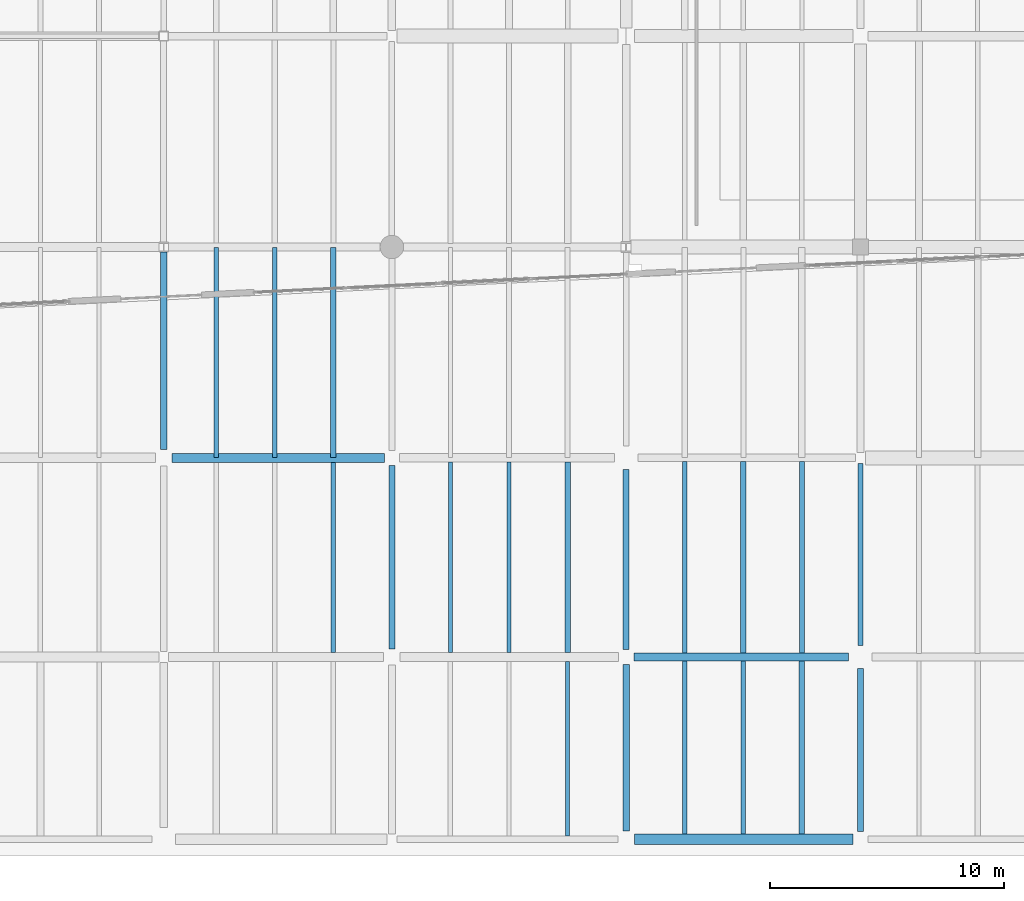
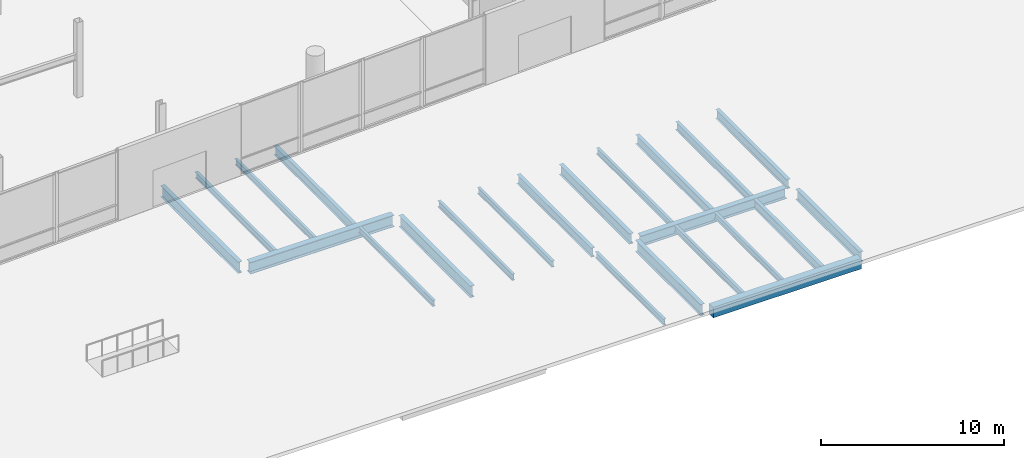
# One storey, part 26 of 88: 23 beams.
"""IFC4 building model written with IfcOpenShell, lengths in metres."""

import ifcopenshell
import ifcopenshell.guid

model = None  # the IFC model being written
_history = None  # IfcOwnerHistory: only IFC2X3 demands one
_inside = {}  # id of a spatial element -> (the spatial element, [elements in it])
_under = {}  # id of a project, library or spatial element -> (it, [spatial elements below it])
_declared = {}  # id of a project -> (the project, [libraries it declares])
_typed = {}  # id of a type object -> (the type object, [elements of that type])
_made_of = {}  # id of a material, layer set ... -> (it, [elements and type objects made of it])


def new_model(schema):
    """Start an empty IFC model of exactly this schema.

    Asked for "IFC4X3", IfcOpenShell would pick the latest addendum, in which some entities
    have other attributes; the version numbers below select the first issue.
    IFC2X3 requires an IfcOwnerHistory on every rooted entity: one is made here for all.
    """
    global model, _history
    if schema == "IFC4X3":
        model = ifcopenshell.file(schema_version=(4, 3, 0, 0))
    else:
        model = ifcopenshell.file(schema=schema)
    _inside.clear()
    _under.clear()
    _declared.clear()
    _typed.clear()
    _made_of.clear()
    _history = None
    if model.schema == "IFC2X3":
        org = make("IfcOrganization", Name="unknown")
        user = make(
            "IfcPersonAndOrganization",
            ThePerson=make("IfcPerson", FamilyName="unknown"),
            TheOrganization=org,
        )
        app = make(
            "IfcApplication",
            ApplicationDeveloper=org,
            Version="unknown",
            ApplicationFullName="unknown",
            ApplicationIdentifier="unknown",
        )
        _history = make(
            "IfcOwnerHistory",
            OwningUser=user,
            OwningApplication=app,
            ChangeAction="ADDED",
            CreationDate=0,
        )
    return model


def make(cls, **values):
    """One entity of the class cls with the attributes given. An attribute that is None is left unset."""
    return model.create_entity(
        cls, **{name: value for name, value in values.items() if value is not None}
    )


def rooted(cls, **values):
    """An entity with a GlobalId (a new one), such as an element, a storey or a relation."""
    return make(cls, GlobalId=ifcopenshell.guid.new(), OwnerHistory=_history, **values)


def si_unit(unit_type, name, prefix=None):
    """IfcSIUnit, for example si_unit("LENGTHUNIT", "METRE", prefix="MILLI")."""
    return make("IfcSIUnit", UnitType=unit_type, Prefix=prefix, Name=name)


def assignment(units):
    """IfcUnitAssignment: the units of a project."""
    return None if units is None else make("IfcUnitAssignment", Units=units)


def point(xyz):
    """IfcCartesianPoint."""
    return None if xyz is None else make("IfcCartesianPoint", Coordinates=xyz)


def direction(xyz):
    """IfcDirection."""
    return None if xyz is None else make("IfcDirection", DirectionRatios=xyz)


def frame(location, z_axis=None, x_axis=None):
    """IfcAxis2Placement3D, a coordinate frame: its origin and axes. An axis left out is left unset."""
    return make(
        "IfcAxis2Placement3D",
        Location=point(location),
        Axis=direction(z_axis),
        RefDirection=direction(x_axis),
    )


def frame_2d(location, x_axis=None):
    """IfcAxis2Placement2D, a coordinate frame in the plane: its origin and x axis."""
    return make(
        "IfcAxis2Placement2D", Location=point(location), RefDirection=direction(x_axis)
    )


def origin():
    """The frame at (0, 0, 0) with its axes left unset."""
    return frame((0.0, 0.0, 0.0))


def origin_2d():
    """The frame at (0, 0) in the plane with its x axis left unset."""
    return frame_2d((0.0, 0.0))


def place(relative_to, where):
    """IfcLocalPlacement: puts the frame where relative to a parent placement (None: the world)."""
    return make(
        "IfcLocalPlacement", PlacementRelTo=relative_to, RelativePlacement=where
    )


def context(
    kind, dimensions, precision=None, world=None, true_north=None, identifier=None
):
    """IfcGeometricRepresentationContext, for example the 3D "Model" context."""
    return make(
        "IfcGeometricRepresentationContext",
        ContextIdentifier=identifier,
        ContextType=kind,
        CoordinateSpaceDimension=dimensions,
        Precision=precision,
        WorldCoordinateSystem=world,
        TrueNorth=true_north,
    )


def subcontext(parent, identifier, kind, view, scale=None):
    """IfcGeometricRepresentationSubContext, for example "Body" below "Model"."""
    return make(
        "IfcGeometricRepresentationSubContext",
        ContextIdentifier=identifier,
        ContextType=kind,
        ParentContext=parent,
        TargetScale=scale,
        TargetView=view,
    )


def project(units=None, contexts=None):
    """IfcProject with its units and contexts."""
    return rooted(
        "IfcProject",
        Name="project",
        RepresentationContexts=contexts,
        UnitsInContext=assignment(units),
    )


def spatial(cls, under=None, at=None, **own):
    """A site, building, storey or space (cls), placed at a placement, below another one or the project."""
    s = rooted(cls, ObjectPlacement=at, **own)
    if under is not None:
        _under.setdefault(under.id(), (under, []))[1].append(s)
    return s


def profile(cls, at=None, kind="AREA", **sizes):
    """A parametric profile (cls). Its sizes go by their IFC names, for example OverallWidth=200.0."""
    return make(cls, ProfileType=kind, Position=at, **sizes)


def rectangle(**sizes):
    """IfcRectangleProfileDef."""
    return profile("IfcRectangleProfileDef", **sizes)


def i_section(**sizes):
    """IfcIShapeProfileDef."""
    return profile("IfcIShapeProfileDef", **sizes)


def extrude(swept, where, along, depth):
    """IfcExtrudedAreaSolid: the profile swept, set in the frame where, extruded along a direction by depth."""
    return make(
        "IfcExtrudedAreaSolid",
        SweptArea=swept,
        Position=where,
        ExtrudedDirection=direction(along),
        Depth=depth,
    )


def shape(context_of_items, identifier, shape_type, items):
    """IfcShapeRepresentation: the items that make up one representation, for example the "Body"."""
    return make(
        "IfcShapeRepresentation",
        ContextOfItems=context_of_items,
        RepresentationIdentifier=identifier,
        RepresentationType=shape_type,
        Items=items,
    )


def material(Name=None, Category=None):
    """IfcMaterial."""
    return make("IfcMaterial", Name=Name, Category=Category)


def material_profile(
    of_material, cross_section, Name=None, Category=None, Priority=None
):
    """IfcMaterialProfile: a cross section and its material."""
    return make(
        "IfcMaterialProfile",
        Name=Name,
        Material=of_material,
        Profile=cross_section,
        Priority=Priority,
        Category=Category,
    )


def profile_set(profiles, Name=None, composite=None):
    """IfcMaterialProfileSet."""
    return make(
        "IfcMaterialProfileSet",
        Name=Name,
        MaterialProfiles=profiles,
        CompositeProfile=composite,
    )


def made_of(thing, what):
    """Note that an element or type object is made of a material, layer set ...; save() writes the relation."""
    if what is not None:
        _made_of.setdefault(what.id(), (what, []))[1].append(thing)
    return thing


def type_object(cls, material=None, **own):
    """A type object (cls), such as IfcWallType, which elements share."""
    return made_of(rooted(cls, **own), material)


def element(
    cls,
    number,
    at=None,
    inside=None,
    cuts=None,
    type_object=None,
    material=None,
    context=None,
    identifier="Body",
    shape_type=None,
    held_by="IfcProductDefinitionShape",
    body=None,
    shapes=None,
    **own,
):
    """One element of the class cls, such as IfcWall. Its Tag is "e" and its number.

    at: its placement. inside: the storey or other place that contains it. cuts: it is an
    opening in that element (IfcRelVoidsElement). A single representation is given by context,
    identifier, shape_type and body (its items); several are given by shapes. held_by: the class
    of the entity that holds the representations. save() writes the other relations.
    """
    e = rooted(cls, Tag="e%d" % number, ObjectPlacement=at, **own)
    if body is not None:
        shapes = [shape(context, identifier, shape_type, body)]
    if shapes is not None:
        e.Representation = make(held_by, Representations=shapes)
    if inside is not None:
        _inside.setdefault(inside.id(), (inside, []))[1].append(e)
    if cuts is not None:
        rooted(
            "IfcRelVoidsElement", RelatingBuildingElement=cuts, RelatedOpeningElement=e
        )
    if type_object is not None:
        _typed.setdefault(type_object.id(), (type_object, []))[1].append(e)
    return made_of(e, material)


def aggregate(whole, parts):
    """IfcRelAggregates: a whole, such as a stair, and the parts it consists of."""
    return rooted("IfcRelAggregates", RelatingObject=whole, RelatedObjects=parts)


def save(model, path):
    """Write the relations noted so far, then the file.

    IfcRelAggregates (storeys below a building ...), IfcRelContainedInSpatialStructure (elements
    in a storey), IfcRelDefinesByType, IfcRelAssociatesMaterial and IfcRelDeclares: one each for
    every whole, place, type object, material and project.
    """
    for whole, parts in _under.values():
        aggregate(whole, parts)
    for where, things in _inside.values():
        rooted(
            "IfcRelContainedInSpatialStructure",
            RelatedElements=things,
            RelatingStructure=where,
        )
    for kind, things in _typed.values():
        rooted("IfcRelDefinesByType", RelatedObjects=things, RelatingType=kind)
    for what, things in _made_of.values():
        rooted("IfcRelAssociatesMaterial", RelatedObjects=things, RelatingMaterial=what)
    for by, libraries in _declared.values():
        rooted("IfcRelDeclares", RelatingContext=by, RelatedDefinitions=libraries)
    model.write(path)


model = new_model("IFC4")

# Units and contexts
model_context = context("Model", 3, precision=1e-05, world=origin(), true_north=direction((0.0, 1.0)))
body_context = subcontext(model_context, "Body", "Model", "MODEL_VIEW")
ifc_project = project(units=[si_unit("LENGTHUNIT", "METRE"), si_unit("AREAUNIT", "SQUARE_METRE"), si_unit("VOLUMEUNIT", "CUBIC_METRE"), si_unit("PLANEANGLEUNIT", "RADIAN"), si_unit("MASSUNIT", "GRAM", prefix="KILO")], contexts=[model_context])

# Site, building, storey
site_placement = place(None, origin())
site = spatial("IfcSite", under=ifc_project, at=site_placement, CompositionType="ELEMENT")
building_placement = place(site_placement, origin())
building = spatial("IfcBuilding", under=site, at=building_placement, Name="Trimount Lyric Opera House", CompositionType="ELEMENT")
storey_placement = place(building_placement, origin())
storey = spatial("IfcBuildingStorey", under=building, at=storey_placement, Name="L00", CompositionType="ELEMENT", Elevation=0.0)

# Beams
ifc_material_1 = material(Name="Steel ASTM A992 Grade 50", Category="steel")
ifc_material_profile_1 = material_profile(ifc_material_1, i_section(OverallWidth=0.382080078125, OverallDepth=0.779052734375, WebThickness=0.01806640625, FlangeThickness=0.0302734375, FilletRadius=0.01904296875, at=origin_2d()), Name="W30X191")
ifc_profile_set_1 = profile_set([ifc_material_profile_1], Name="Steel ASTM A992 Grade 50")
beam_type_1 = type_object("IfcBeamType", Name="B-06", PredefinedType="BEAM", material=ifc_profile_set_1)
beam_1_placement = place(storey_placement, frame((64.610107421875, 17.0, -0.62939453125), z_axis=(1.0, 0.0, 0.0), x_axis=(0.0, 1.0, 0.0)))
element("IfcBeam", 1, at=beam_1_placement, inside=storey, type_object=beam_type_1, Name="L00 girder X-0042", PredefinedType="BEAM", context=body_context, shape_type="SweptSolid", body=[
    extrude(i_section(OverallWidth=0.382080078125, OverallDepth=0.779052734375, WebThickness=0.01806640625, FlangeThickness=0.0302734375, FilletRadius=0.01904296875, at=origin_2d()), origin(), (0.0, 0.0, 1.0), 9.06494140625),
])
ifc_material_2 = material(Name="Steel ASTM A992 Grade 50", Category="steel")
ifc_material_profile_2 = material_profile(ifc_material_2, i_section(OverallWidth=0.26708984375, OverallDepth=0.761962890625, WebThickness=0.014404296875, FlangeThickness=0.021484375, FilletRadius=0.01708984375, at=origin_2d()), Name="W30X116")
ifc_profile_set_2 = profile_set([ifc_material_profile_2], Name="Steel ASTM A992 Grade 50")
beam_type_2 = type_object("IfcBeamType", Name="B-07", PredefinedType="BEAM", material=ifc_profile_set_2)
beam_2_placement = place(storey_placement, frame((64.260009765625, 17.35009765625, -0.760986328125), z_axis=(0.0, 1.0, 0.0), x_axis=(-1.0, 0.0, 0.0)))
element("IfcBeam", 2, at=beam_2_placement, inside=storey, type_object=beam_type_2, Name="L00 girder Y-0311", PredefinedType="BEAM", context=body_context, shape_type="SweptSolid", body=[
    extrude(i_section(OverallWidth=0.26708984375, OverallDepth=0.761962890625, WebThickness=0.014404296875, FlangeThickness=0.021484375, FilletRadius=0.01708984375, at=origin_2d()), origin(), (0.0, 0.0, 1.0), 8.44140625),
])
beam_3_placement = place(storey_placement, frame((74.0, 8.85009765625, -0.62109375), z_axis=(0.0, 1.0, 0.0), x_axis=(-1.0, 0.0, 0.0)))
element("IfcBeam", 3, at=beam_3_placement, inside=storey, type_object=beam_type_2, Name="L00 girder Y-0322", PredefinedType="BEAM", context=body_context, shape_type="SweptSolid", body=[
    extrude(i_section(OverallWidth=0.26708984375, OverallDepth=0.761962890625, WebThickness=0.014404296875, FlangeThickness=0.021484375, FilletRadius=0.01708984375, at=origin_2d()), origin(), (0.0, 0.0, 1.0), 7.824951171875),
])
beam_4_placement = place(storey_placement, frame((84.0, 1.070068359375, -0.62109375), z_axis=(0.0, 1.0, 0.0), x_axis=(-1.0, 0.0, 0.0)))
element("IfcBeam", 4, at=beam_4_placement, inside=storey, type_object=beam_type_2, Name="L00 girder Y-0333", PredefinedType="BEAM", context=body_context, shape_type="SweptSolid", body=[
    extrude(i_section(OverallWidth=0.26708984375, OverallDepth=0.761962890625, WebThickness=0.014404296875, FlangeThickness=0.021484375, FilletRadius=0.01708984375, at=origin_2d()), origin(), (0.0, 0.0, 1.0), 7.10498046875),
])
ifc_material_3 = material(Name="Steel ASTM A992 Grade 50", Category="steel")
ifc_material_profile_3 = material_profile(ifc_material_3, i_section(OverallWidth=0.35595703125, OverallDepth=0.700927734375, WebThickness=0.016845703125, FlangeThickness=0.02734375, FilletRadius=0.01806640625, at=origin_2d()), Name="W27X161")
ifc_profile_set_3 = profile_set([ifc_material_profile_3], Name="Steel ASTM A992 Grade 50")
beam_type_3 = type_object("IfcBeamType", Name="B-08", PredefinedType="BEAM", material=ifc_profile_set_3)
beam_5_placement = place(storey_placement, frame((84.324951171875, 8.5, -0.590576171875), z_axis=(1.0, 0.0, 0.0), x_axis=(0.0, 1.0, 0.0)))
element("IfcBeam", 5, at=beam_5_placement, inside=storey, type_object=beam_type_3, Name="L00 girder X-0029", PredefinedType="BEAM", context=body_context, shape_type="SweptSolid", body=[
    extrude(i_section(OverallWidth=0.35595703125, OverallDepth=0.700927734375, WebThickness=0.016845703125, FlangeThickness=0.02734375, FilletRadius=0.01806640625, at=origin_2d()), origin(), (0.0, 0.0, 1.0), 9.175048828125),
])
ifc_material_4 = material(Name="Steel ASTM A992 Grade 50", Category="steel")
ifc_material_profile_4 = material_profile(ifc_material_4, i_section(OverallWidth=0.25390625, OverallDepth=0.68798828125, WebThickness=0.01318359375, FlangeThickness=0.02099609375, FilletRadius=0.01611328125, at=origin_2d()), Name="W27X102")
ifc_profile_set_4 = profile_set([ifc_material_profile_4], Name="Steel ASTM A992 Grade 50")
beam_type_4 = type_object("IfcBeamType", Name="B-09", PredefinedType="BEAM", material=ifc_profile_set_4)
beam_6_placement = place(storey_placement, frame((84.0, 8.824951171875, -0.583984375), z_axis=(0.0, 1.0, 0.0), x_axis=(-1.0, 0.0, 0.0)))
element("IfcBeam", 6, at=beam_6_placement, inside=storey, type_object=beam_type_4, Name="L00 girder Y-0334", PredefinedType="BEAM", context=body_context, shape_type="SweptSolid", body=[
    extrude(i_section(OverallWidth=0.25390625, OverallDepth=0.68798828125, WebThickness=0.01318359375, FlangeThickness=0.02099609375, FilletRadius=0.01611328125, at=origin_2d()), origin(), (0.0, 0.0, 1.0), 7.675048828125),
])
beam_7_placement = place(storey_placement, frame((94.0, 1.044921875, -0.583984375), z_axis=(0.0, 1.0, 0.0), x_axis=(-1.0, 0.0, 0.0)))
element("IfcBeam", 7, at=beam_7_placement, inside=storey, type_object=beam_type_4, Name="L00 girder Y-0345", PredefinedType="BEAM", context=body_context, shape_type="SweptSolid", body=[
    extrude(i_section(OverallWidth=0.25390625, OverallDepth=0.68798828125, WebThickness=0.01318359375, FlangeThickness=0.02099609375, FilletRadius=0.01611328125, at=origin_2d()), origin(), (0.0, 0.0, 1.0), 6.955078125),
])
ifc_material_5 = material(Name="Steel ASTM A992 Grade 50", Category="steel")
ifc_material_profile_5 = material_profile(ifc_material_5, i_section(OverallWidth=0.22998046875, OverallDepth=0.616943359375, WebThickness=0.01318359375, FlangeThickness=0.022216796875, FilletRadius=0.013916015625, at=origin_2d()), Name="W24X94")
ifc_profile_set_5 = profile_set([ifc_material_profile_5], Name="Steel ASTM A992 Grade 50")
beam_type_5 = type_object("IfcBeamType", Name="B-11", PredefinedType="BEAM", material=ifc_profile_set_5)
beam_8_placement = place(storey_placement, frame((94.0, 9.0, -0.548583984375), z_axis=(0.0, 1.0, 0.0), x_axis=(-1.0, 0.0, 0.0)))
element("IfcBeam", 8, at=beam_8_placement, inside=storey, type_object=beam_type_5, Name="L00 girder Y-0346", PredefinedType="BEAM", context=body_context, shape_type="SweptSolid", body=[
    extrude(i_section(OverallWidth=0.22998046875, OverallDepth=0.616943359375, WebThickness=0.01318359375, FlangeThickness=0.022216796875, FilletRadius=0.013916015625, at=origin_2d()), origin(), (0.0, 0.0, 1.0), 7.767578125),
])
ifc_material_6 = material(Name="Steel ASTM A992 Grade 50", Category="steel")
ifc_material_profile_6 = material_profile(ifc_material_6, i_section(OverallWidth=0.22802734375, OverallDepth=0.60205078125, WebThickness=0.010498046875, FlangeThickness=0.014892578125, FilletRadius=0.012939453125, at=origin_2d()), Name="W24X68")
ifc_profile_set_6 = profile_set([ifc_material_profile_6], Name="Steel ASTM A992 Grade 50")
beam_type_6 = type_object("IfcBeamType", Name="J-01", PredefinedType="BEAM", material=ifc_profile_set_6)
beam_9_placement = place(storey_placement, frame((71.5, 17.011962890625, -0.680908203125), z_axis=(0.0, 1.0, 0.0), x_axis=(-1.0, 0.0, 0.0)))
element("IfcBeam", 9, at=beam_9_placement, inside=storey, type_object=beam_type_6, Name="L00 composite floor joist 0192", PredefinedType="BEAM", context=body_context, shape_type="SweptSolid", body=[
    extrude(i_section(OverallWidth=0.22802734375, OverallDepth=0.60205078125, WebThickness=0.010498046875, FlangeThickness=0.014892578125, FilletRadius=0.012939453125, at=origin_2d()), origin(), (0.0, 0.0, 1.0), 8.97607421875),
])
beam_10_placement = place(storey_placement, frame((81.5, 8.68701171875, -0.541015625), z_axis=(0.0, 1.0, 0.0), x_axis=(-1.0, 0.0, 0.0)))
element("IfcBeam", 10, at=beam_10_placement, inside=storey, type_object=beam_type_6, Name="L00 composite floor joist 0219", PredefinedType="BEAM", context=body_context, shape_type="SweptSolid", body=[
    extrude(i_section(OverallWidth=0.22802734375, OverallDepth=0.60205078125, WebThickness=0.010498046875, FlangeThickness=0.014892578125, FilletRadius=0.012939453125, at=origin_2d()), origin(), (0.0, 0.0, 1.0), 8.138916015625),
])
beam_11_placement = place(storey_placement, frame((91.5, 0.94091796875, -0.541015625), z_axis=(0.0, 1.0, 0.0), x_axis=(-1.0, 0.0, 0.0)))
element("IfcBeam", 11, at=beam_11_placement, inside=storey, type_object=beam_type_6, Name="L00 composite floor joist 0244", PredefinedType="BEAM", context=body_context, shape_type="SweptSolid", body=[
    extrude(i_section(OverallWidth=0.22802734375, OverallDepth=0.60205078125, WebThickness=0.010498046875, FlangeThickness=0.014892578125, FilletRadius=0.012939453125, at=origin_2d()), origin(), (0.0, 0.0, 1.0), 7.385009765625),
])
beam_12_placement = place(storey_placement, frame((89.0, 8.674072265625, -0.541015625), z_axis=(0.0, 1.0, 0.0), x_axis=(-1.0, 0.0, 0.0)))
element("IfcBeam", 12, at=beam_12_placement, inside=storey, type_object=beam_type_6, Name="L00 composite floor joist 0246", PredefinedType="BEAM", context=body_context, shape_type="SweptSolid", body=[
    extrude(i_section(OverallWidth=0.22802734375, OverallDepth=0.60205078125, WebThickness=0.010498046875, FlangeThickness=0.014892578125, FilletRadius=0.012939453125, at=origin_2d()), origin(), (0.0, 0.0, 1.0), 8.166015625),
])
ifc_material_7 = material(Name="Steel ASTM A992 Grade 50", Category="steel")
ifc_material_profile_7 = material_profile(ifc_material_7, i_section(OverallWidth=0.2099609375, OverallDepth=0.532958984375, WebThickness=0.01025390625, FlangeThickness=0.015625, FilletRadius=0.012939453125, at=origin_2d()), Name="W21X62")
ifc_profile_set_7 = profile_set([ifc_material_profile_7], Name="Steel ASTM A992 Grade 50")
beam_type_7 = type_object("IfcBeamType", Name="J-02", PredefinedType="BEAM", material=ifc_profile_set_7)
beam_13_placement = place(storey_placement, frame((91.5, 8.674072265625, -0.506591796875), z_axis=(0.0, 1.0, 0.0), x_axis=(-1.0, 0.0, 0.0)))
element("IfcBeam", 13, at=beam_13_placement, inside=storey, type_object=beam_type_7, Name="L00 composite floor joist 0247", PredefinedType="BEAM", context=body_context, shape_type="SweptSolid", body=[
    extrude(i_section(OverallWidth=0.2099609375, OverallDepth=0.532958984375, WebThickness=0.01025390625, FlangeThickness=0.015625, FilletRadius=0.012939453125, at=origin_2d()), origin(), (0.0, 0.0, 1.0), 8.166015625),
])
ifc_material_8 = material(Name="Steel ASTM A992 Grade 50", Category="steel")
ifc_material_profile_8 = material_profile(ifc_material_8, i_section(OverallWidth=0.180908203125, OverallDepth=0.4169921875, WebThickness=0.010986328125, FlangeThickness=0.018310546875, FilletRadius=0.010986328125, at=origin_2d()), Name="W16X57")
ifc_profile_set_8 = profile_set([ifc_material_profile_8], Name="Steel ASTM A992 Grade 50")
beam_type_8 = type_object("IfcBeamType", Name="J-05", PredefinedType="BEAM", material=ifc_profile_set_8)
beam_14_placement = place(storey_placement, frame((66.5, 17.011962890625, -0.58837890625), z_axis=(0.0, 1.0, 0.0), x_axis=(-1.0, 0.0, 0.0)))
element("IfcBeam", 14, at=beam_14_placement, inside=storey, type_object=beam_type_8, Name="L00 composite floor joist 0190", PredefinedType="BEAM", context=body_context, shape_type="SweptSolid", body=[
    extrude(i_section(OverallWidth=0.180908203125, OverallDepth=0.4169921875, WebThickness=0.010986328125, FlangeThickness=0.018310546875, FilletRadius=0.010986328125, at=origin_2d()), origin(), (0.0, 0.0, 1.0), 8.97607421875),
])
beam_15_placement = place(storey_placement, frame((76.5, 8.68701171875, -0.448486328125), z_axis=(0.0, 1.0, 0.0), x_axis=(-1.0, 0.0, 0.0)))
element("IfcBeam", 15, at=beam_15_placement, inside=storey, type_object=beam_type_8, Name="L00 composite floor joist 0217", PredefinedType="BEAM", context=body_context, shape_type="SweptSolid", body=[
    extrude(i_section(OverallWidth=0.180908203125, OverallDepth=0.4169921875, WebThickness=0.010986328125, FlangeThickness=0.018310546875, FilletRadius=0.010986328125, at=origin_2d()), origin(), (0.0, 0.0, 1.0), 8.138916015625),
])
beam_16_placement = place(storey_placement, frame((86.5, 0.94091796875, -0.448486328125), z_axis=(0.0, 1.0, 0.0), x_axis=(-1.0, 0.0, 0.0)))
element("IfcBeam", 16, at=beam_16_placement, inside=storey, type_object=beam_type_8, Name="L00 composite floor joist 0242", PredefinedType="BEAM", context=body_context, shape_type="SweptSolid", body=[
    extrude(i_section(OverallWidth=0.180908203125, OverallDepth=0.4169921875, WebThickness=0.010986328125, FlangeThickness=0.018310546875, FilletRadius=0.010986328125, at=origin_2d()), origin(), (0.0, 0.0, 1.0), 7.385009765625),
])
ifc_material_9 = material(Name="Steel ASTM A992 Grade 50", Category="steel")
ifc_material_profile_9 = material_profile(ifc_material_9, i_section(OverallWidth=0.177978515625, OverallDepth=0.404052734375, WebThickness=0.007568359375, FlangeThickness=0.010986328125, FilletRadius=0.010009765625, at=origin_2d()), Name="W16X36")
ifc_profile_set_9 = profile_set([ifc_material_profile_9], Name="Steel ASTM A992 Grade 50")
beam_type_9 = type_object("IfcBeamType", Name="J-06", PredefinedType="BEAM", material=ifc_profile_set_9)
beam_17_placement = place(storey_placement, frame((71.5, 8.696533203125, -0.44189453125), z_axis=(0.0, 1.0, 0.0), x_axis=(-1.0, 0.0, 0.0)))
element("IfcBeam", 17, at=beam_17_placement, inside=storey, type_object=beam_type_9, Name="L00 composite floor joist 0189", PredefinedType="BEAM", context=body_context, shape_type="SweptSolid", body=[
    extrude(i_section(OverallWidth=0.177978515625, OverallDepth=0.404052734375, WebThickness=0.007568359375, FlangeThickness=0.010986328125, FilletRadius=0.010009765625, at=origin_2d()), origin(), (0.0, 0.0, 1.0), 8.116455078125),
])
beam_18_placement = place(storey_placement, frame((69.0, 17.011962890625, -0.58203125), z_axis=(0.0, 1.0, 0.0), x_axis=(-1.0, 0.0, 0.0)))
element("IfcBeam", 18, at=beam_18_placement, inside=storey, type_object=beam_type_9, Name="L00 composite floor joist 0191", PredefinedType="BEAM", context=body_context, shape_type="SweptSolid", body=[
    extrude(i_section(OverallWidth=0.177978515625, OverallDepth=0.404052734375, WebThickness=0.007568359375, FlangeThickness=0.010986328125, FilletRadius=0.010009765625, at=origin_2d()), origin(), (0.0, 0.0, 1.0), 8.97607421875),
])
beam_19_placement = place(storey_placement, frame((81.5, 0.85693359375, -0.44189453125), z_axis=(0.0, 1.0, 0.0), x_axis=(-1.0, 0.0, 0.0)))
element("IfcBeam", 19, at=beam_19_placement, inside=storey, type_object=beam_type_9, Name="L00 composite floor joist 0216", PredefinedType="BEAM", context=body_context, shape_type="SweptSolid", body=[
    extrude(i_section(OverallWidth=0.177978515625, OverallDepth=0.404052734375, WebThickness=0.007568359375, FlangeThickness=0.010986328125, FilletRadius=0.010009765625, at=origin_2d()), origin(), (0.0, 0.0, 1.0), 7.4560546875),
])
beam_20_placement = place(storey_placement, frame((79.0, 8.68701171875, -0.44189453125), z_axis=(0.0, 1.0, 0.0), x_axis=(-1.0, 0.0, 0.0)))
element("IfcBeam", 20, at=beam_20_placement, inside=storey, type_object=beam_type_9, Name="L00 composite floor joist 0218", PredefinedType="BEAM", context=body_context, shape_type="SweptSolid", body=[
    extrude(i_section(OverallWidth=0.177978515625, OverallDepth=0.404052734375, WebThickness=0.007568359375, FlangeThickness=0.010986328125, FilletRadius=0.010009765625, at=origin_2d()), origin(), (0.0, 0.0, 1.0), 8.138916015625),
])
beam_21_placement = place(storey_placement, frame((89.0, 0.94091796875, -0.44189453125), z_axis=(0.0, 1.0, 0.0), x_axis=(-1.0, 0.0, 0.0)))
element("IfcBeam", 21, at=beam_21_placement, inside=storey, type_object=beam_type_9, Name="L00 composite floor joist 0243", PredefinedType="BEAM", context=body_context, shape_type="SweptSolid", body=[
    extrude(i_section(OverallWidth=0.177978515625, OverallDepth=0.404052734375, WebThickness=0.007568359375, FlangeThickness=0.010986328125, FilletRadius=0.010009765625, at=origin_2d()), origin(), (0.0, 0.0, 1.0), 7.385009765625),
])
beam_22_placement = place(storey_placement, frame((86.5, 8.674072265625, -0.44189453125), z_axis=(0.0, 1.0, 0.0), x_axis=(-1.0, 0.0, 0.0)))
element("IfcBeam", 22, at=beam_22_placement, inside=storey, type_object=beam_type_9, Name="L00 composite floor joist 0245", PredefinedType="BEAM", context=body_context, shape_type="SweptSolid", body=[
    extrude(i_section(OverallWidth=0.177978515625, OverallDepth=0.404052734375, WebThickness=0.007568359375, FlangeThickness=0.010986328125, FilletRadius=0.010009765625, at=origin_2d()), origin(), (0.0, 0.0, 1.0), 8.166015625),
])
ifc_material_10 = material(Name="Concrete C40/50", Category="concrete")
ifc_material_profile_10 = material_profile(ifc_material_10, rectangle(XDim=0.449951171875, YDim=0.699951171875, at=origin_2d()), Name="RC450X700")
ifc_profile_set_10 = profile_set([ifc_material_profile_10], Name="Concrete C40/50")
beam_type_10 = type_object("IfcBeamType", Name="SP-02", PredefinedType="SPANDREL", material=ifc_profile_set_10)
beam_23_placement = place(storey_placement, frame((84.35009765625, 0.719970703125, -0.590087890625), z_axis=(1.0, 0.0, 0.0), x_axis=(0.0, 1.0, 0.0)))
element("IfcBeam", 23, at=beam_23_placement, inside=storey, type_object=beam_type_10, Name="L00 girder X-0010", PredefinedType="SPANDREL", context=body_context, shape_type="SweptSolid", body=[
    extrude(rectangle(XDim=0.449951171875, YDim=0.699951171875, at=origin_2d()), origin(), (0.0, 0.0, 1.0), 9.324951171875),
])

save(model, "model.ifc")
